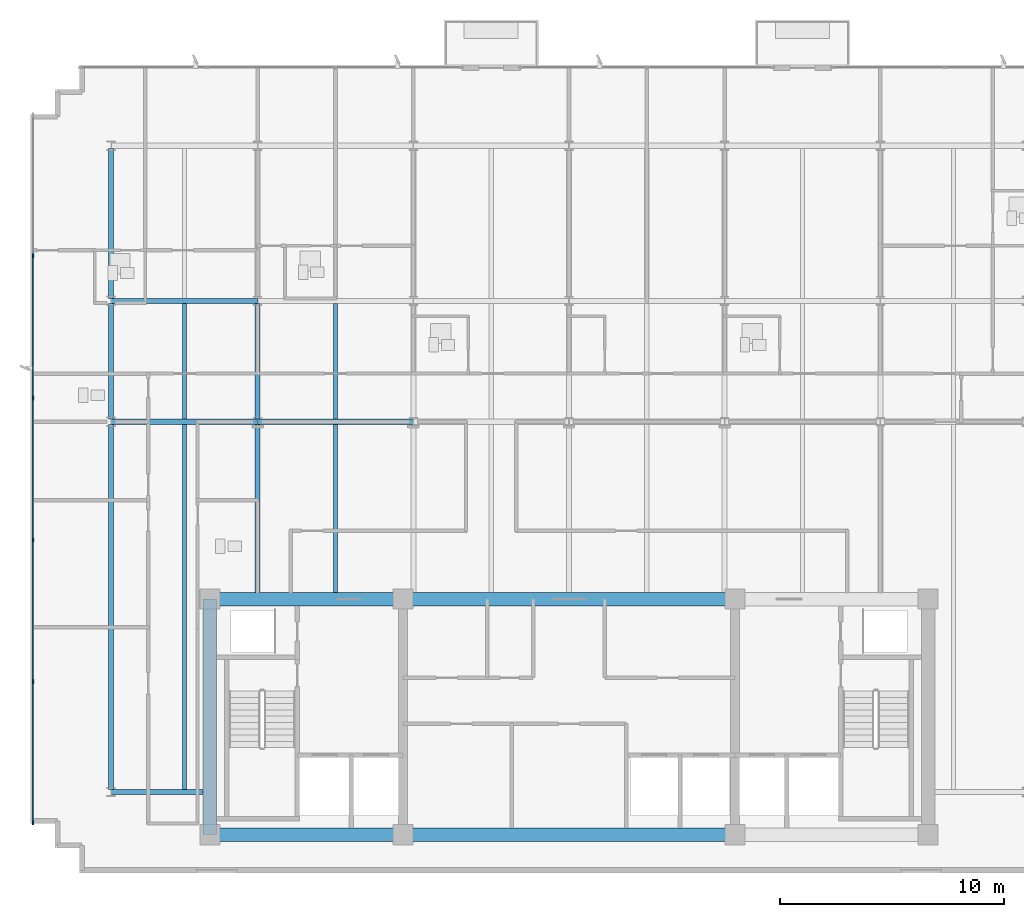
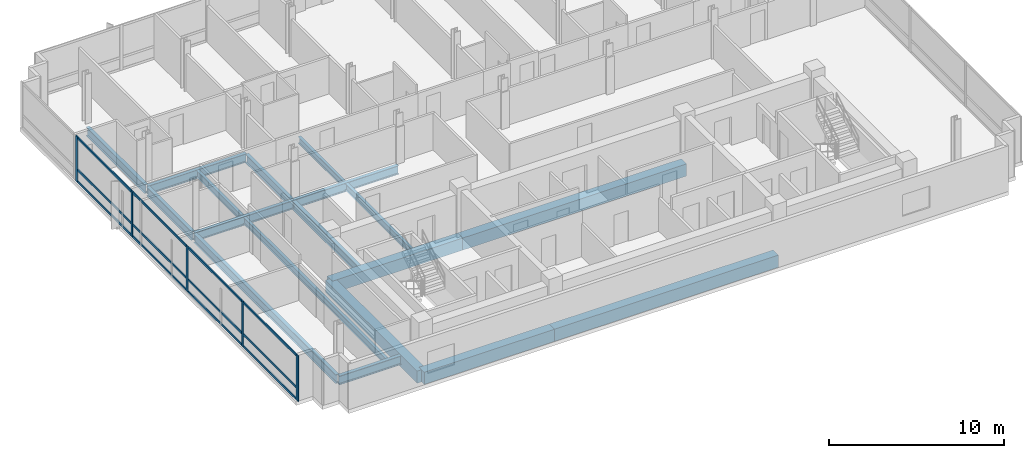
# One storey, part 2 of 14: 18 beams, 17 members, 1 element without a shape of its own.
"""IFC4 building model written with IfcOpenShell, lengths in metres."""

from ifc_helpers import new_model, si_unit, direction, frame, origin, origin_2d, place, context, subcontext, project, spatial, rectangle, i_section, extrude, material, material_profile, profile_set, type_object, element, aggregate, save


model = new_model("IFC4")

# Units and contexts
model_context = context("Model", 3, precision=1e-05, world=origin(), true_north=direction((0.0, 1.0)))
body_context = subcontext(model_context, "Body", "Model", "MODEL_VIEW")
ifc_project = project(units=[si_unit("LENGTHUNIT", "METRE"), si_unit("AREAUNIT", "SQUARE_METRE"), si_unit("VOLUMEUNIT", "CUBIC_METRE"), si_unit("PLANEANGLEUNIT", "RADIAN"), si_unit("MASSUNIT", "GRAM", prefix="KILO")], contexts=[model_context])

# Site, building, storey
site_placement = place(None, origin())
site = spatial("IfcSite", under=ifc_project, at=site_placement, CompositionType="ELEMENT")
building_placement = place(site_placement, origin())
building = spatial("IfcBuilding", under=site, at=building_placement, Name="Solmavex Isthmus Hotel", CompositionType="ELEMENT")
storey_placement = place(building_placement, frame((0.0, 0.0, 252.300048828125)))
storey = spatial("IfcBuildingStorey", under=building, at=storey_placement, Name="L68", CompositionType="ELEMENT", Elevation=252.300048828125)

# Beams
ifc_material_1 = material(Name="Steel ASTM A992 Grade 50", Category="steel")
ifc_material_profile_1 = material_profile(ifc_material_1, i_section(OverallWidth=0.1904296875, OverallDepth=0.456787109375, WebThickness=0.009033203125, FlangeThickness=0.014404296875, FilletRadius=0.0126953125, at=origin_2d()), Name="W18X50")
ifc_profile_set_1 = profile_set([ifc_material_profile_1], Name="Steel ASTM A992 Grade 50")
beam_type_1 = type_object("IfcBeamType", Name="BM-BJ-W18X50", PredefinedType="JOIST", material=ifc_profile_set_1)
beam_1_placement = place(storey_placement, frame((-17.135986328125, -10.98486328125, -0.488525390625), z_axis=(0.0, 1.0, 0.0), x_axis=(-1.0, 0.0, 0.0)))
element("IfcBeam", 1, at=beam_1_placement, inside=storey, type_object=beam_type_1, Name="Secondary Floor Joist L68-J01", PredefinedType="JOIST", context=body_context, shape_type="SweptSolid", body=[
    extrude(i_section(OverallWidth=0.1904296875, OverallDepth=0.456787109375, WebThickness=0.009033203125, FlangeThickness=0.014404296875, FilletRadius=0.0126953125, at=origin_2d()), origin(), (0.0, 0.0, 1.0), 16.27099609375),
])
beam_2_placement = place(storey_placement, frame((-17.135986328125, 5.513916015625, -0.488525390625), z_axis=(0.0, 1.0, 0.0), x_axis=(-1.0, 0.0, 0.0)))
element("IfcBeam", 2, at=beam_2_placement, inside=storey, type_object=beam_type_1, Name="Secondary Floor Joist L68-J02", PredefinedType="JOIST", context=body_context, shape_type="SweptSolid", body=[
    extrude(i_section(OverallWidth=0.1904296875, OverallDepth=0.456787109375, WebThickness=0.009033203125, FlangeThickness=0.014404296875, FilletRadius=0.0126953125, at=origin_2d()), origin(), (0.0, 0.0, 1.0), 5.16015625),
])
beam_3_placement = place(storey_placement, frame((-10.404052734375, -2.199951171875, -0.488525390625), z_axis=(0.0, 1.0, 0.0), x_axis=(-1.0, 0.0, 0.0)))
element("IfcBeam", 3, at=beam_3_placement, inside=storey, type_object=beam_type_1, Name="Secondary Floor Joist L68-J04", PredefinedType="JOIST", context=body_context, shape_type="SweptSolid", body=[
    extrude(i_section(OverallWidth=0.1904296875, OverallDepth=0.456787109375, WebThickness=0.009033203125, FlangeThickness=0.014404296875, FilletRadius=0.0126953125, at=origin_2d()), origin(), (0.0, 0.0, 1.0), 7.486083984375),
])
beam_4_placement = place(storey_placement, frame((-10.404052734375, 5.513916015625, -0.488525390625), z_axis=(0.0, 1.0, 0.0), x_axis=(-1.0, 0.0, 0.0)))
element("IfcBeam", 4, at=beam_4_placement, inside=storey, type_object=beam_type_1, Name="Secondary Floor Joist L68-J05", PredefinedType="JOIST", context=body_context, shape_type="SweptSolid", body=[
    extrude(i_section(OverallWidth=0.1904296875, OverallDepth=0.456787109375, WebThickness=0.009033203125, FlangeThickness=0.014404296875, FilletRadius=0.0126953125, at=origin_2d()), origin(), (0.0, 0.0, 1.0), 5.16015625),
])
ifc_material_profile_2 = material_profile(ifc_material_1, i_section(OverallWidth=0.227783203125, OverallDepth=0.602783203125, WebThickness=0.010498046875, FlangeThickness=0.014892578125, FilletRadius=0.01513671875, at=origin_2d()), Name="W24X68")
ifc_profile_set_2 = profile_set([ifc_material_profile_2], Name="Steel ASTM A992 Grade 50")
beam_type_2 = type_object("IfcBeamType", Name="BM-BM-W24X68", PredefinedType="BEAM", material=ifc_profile_set_2)
beam_5_placement = place(storey_placement, frame((-20.39990234375, 5.39990234375, -0.561279296875), z_axis=(1.0, 0.0, 0.0), x_axis=(0.0, 1.0, 0.0)))
element("IfcBeam", 5, at=beam_5_placement, inside=storey, type_object=beam_type_2, Name="Floor Girder L68-UG03", PredefinedType="BEAM", context=body_context, shape_type="SweptSolid", body=[
    extrude(i_section(OverallWidth=0.227783203125, OverallDepth=0.602783203125, WebThickness=0.010498046875, FlangeThickness=0.014892578125, FilletRadius=0.01513671875, at=origin_2d()), origin(), (0.0, 0.0, 1.0), 6.52783203125),
])
beam_6_placement = place(storey_placement, frame((-13.8720703125, 5.39990234375, -0.561279296875), z_axis=(1.0, 0.0, 0.0), x_axis=(0.0, 1.0, 0.0)))
element("IfcBeam", 6, at=beam_6_placement, inside=storey, type_object=beam_type_2, Name="Floor Girder L68-UG04", PredefinedType="BEAM", context=body_context, shape_type="SweptSolid", body=[
    extrude(i_section(OverallWidth=0.227783203125, OverallDepth=0.602783203125, WebThickness=0.010498046875, FlangeThickness=0.014892578125, FilletRadius=0.01513671875, at=origin_2d()), origin(), (0.0, 0.0, 1.0), 6.93603515625),
])
beam_7_placement = place(storey_placement, frame((-20.39990234375, 10.7880859375, -0.561279296875), z_axis=(1.0, 0.0, 0.0), x_axis=(0.0, 1.0, 0.0)))
element("IfcBeam", 7, at=beam_7_placement, inside=storey, type_object=beam_type_2, Name="Floor Girder L68-UG09", PredefinedType="BEAM", context=body_context, shape_type="SweptSolid", body=[
    extrude(i_section(OverallWidth=0.227783203125, OverallDepth=0.602783203125, WebThickness=0.010498046875, FlangeThickness=0.014892578125, FilletRadius=0.01513671875, at=origin_2d()), origin(), (0.0, 0.0, 1.0), 6.52783203125),
])
beam_8_placement = place(storey_placement, frame((-13.8720703125, -2.199951171875, -0.561279296875), z_axis=(0.0, 1.0, 0.0), x_axis=(-1.0, 0.0, 0.0)))
element("IfcBeam", 8, at=beam_8_placement, inside=storey, type_object=beam_type_2, Name="Floor Beam L68-VG24", PredefinedType="BEAM", context=body_context, shape_type="SweptSolid", body=[
    extrude(i_section(OverallWidth=0.227783203125, OverallDepth=0.602783203125, WebThickness=0.010498046875, FlangeThickness=0.014892578125, FilletRadius=0.01513671875, at=origin_2d()), origin(), (0.0, 0.0, 1.0), 7.486083984375),
])
beam_9_placement = place(storey_placement, frame((-13.8720703125, 5.513916015625, -0.561279296875), z_axis=(0.0, 1.0, 0.0), x_axis=(-1.0, 0.0, 0.0)))
element("IfcBeam", 9, at=beam_9_placement, inside=storey, type_object=beam_type_2, Name="Floor Beam L68-VG25", PredefinedType="BEAM", context=body_context, shape_type="SweptSolid", body=[
    extrude(i_section(OverallWidth=0.227783203125, OverallDepth=0.602783203125, WebThickness=0.010498046875, FlangeThickness=0.014892578125, FilletRadius=0.01513671875, at=origin_2d()), origin(), (0.0, 0.0, 1.0), 5.16015625),
])
ifc_material_2 = material(Name="Concrete C50/60", Category="concrete")
ifc_material_profile_3 = material_profile(ifc_material_2, rectangle(XDim=0.60009765625, YDim=0.85009765625, at=origin_2d()), Name="RC600X850")
ifc_profile_set_3 = profile_set([ifc_material_profile_3], Name="Concrete C50/60")
beam_type_3 = type_object("IfcBeamType", Name="BM-CB-600X850", PredefinedType="BEAM", material=ifc_profile_set_3)
beam_10_placement = place(storey_placement, frame((-16.0, -13.0, -0.68505859375), z_axis=(1.0, 0.0, 0.0), x_axis=(0.0, 1.0, 0.0)))
element("IfcBeam", 10, at=beam_10_placement, inside=storey, type_object=beam_type_3, Name="Core Coupling Beam L68-CB1", PredefinedType="BEAM", context=body_context, shape_type="SweptSolid", body=[
    extrude(rectangle(XDim=0.60009765625, YDim=0.85009765625, at=origin_2d()), origin(), (0.0, 0.0, 1.0), 8.60009765625),
])
beam_11_placement = place(storey_placement, frame((-7.39990234375, -13.0, -0.68505859375), z_axis=(1.0, 0.0, 0.0), x_axis=(0.0, 1.0, 0.0)))
element("IfcBeam", 11, at=beam_11_placement, inside=storey, type_object=beam_type_3, Name="Core Coupling Beam L68-CB2", PredefinedType="BEAM", context=body_context, shape_type="SweptSolid", body=[
    extrude(rectangle(XDim=0.60009765625, YDim=0.85009765625, at=origin_2d()), origin(), (0.0, 0.0, 1.0), 14.7998046875),
])
beam_12_placement = place(storey_placement, frame((-16.0, -2.5, -0.68505859375), z_axis=(1.0, 0.0, 0.0), x_axis=(0.0, 1.0, 0.0)))
element("IfcBeam", 12, at=beam_12_placement, inside=storey, type_object=beam_type_3, Name="Core Coupling Beam L68-CB4", PredefinedType="BEAM", context=body_context, shape_type="SweptSolid", body=[
    extrude(rectangle(XDim=0.60009765625, YDim=0.85009765625, at=origin_2d()), origin(), (0.0, 0.0, 1.0), 8.60009765625),
])
beam_13_placement = place(storey_placement, frame((-7.39990234375, -2.5, -0.68505859375), z_axis=(1.0, 0.0, 0.0), x_axis=(0.0, 1.0, 0.0)))
element("IfcBeam", 13, at=beam_13_placement, inside=storey, type_object=beam_type_3, Name="Core Coupling Beam L68-CB5", PredefinedType="BEAM", context=body_context, shape_type="SweptSolid", body=[
    extrude(rectangle(XDim=0.60009765625, YDim=0.85009765625, at=origin_2d()), origin(), (0.0, 0.0, 1.0), 14.7998046875),
])
beam_14_placement = place(storey_placement, frame((-16.0, -13.0, -0.68505859375), z_axis=(0.0, 1.0, 0.0), x_axis=(-1.0, 0.0, 0.0)))
element("IfcBeam", 14, at=beam_14_placement, inside=storey, type_object=beam_type_3, Name="Core Coupling Beam L68-CB7", PredefinedType="BEAM", context=body_context, shape_type="SweptSolid", body=[
    extrude(rectangle(XDim=0.60009765625, YDim=0.85009765625, at=origin_2d()), origin(), (0.0, 0.0, 1.0), 10.5),
])
ifc_material_profile_4 = material_profile(ifc_material_1, i_section(OverallWidth=0.230224609375, OverallDepth=0.617431640625, WebThickness=0.01318359375, FlangeThickness=0.022216796875, FilletRadius=0.01513671875, at=origin_2d()), Name="W24X94")
ifc_profile_set_4 = profile_set([ifc_material_profile_4], Name="Steel ASTM A992 Grade 50")
beam_type_4 = type_object("IfcBeamType", Name="BM-SP-W24X94", PredefinedType="SPANDREL", material=ifc_profile_set_4)
beam_15_placement = place(storey_placement, frame((-20.39990234375, -11.10009765625, -0.56884765625), z_axis=(1.0, 0.0, 0.0), x_axis=(0.0, 1.0, 0.0)))
element("IfcBeam", 15, at=beam_15_placement, inside=storey, type_object=beam_type_4, Name="Floor Girder L68-UG01", PredefinedType="SPANDREL", context=body_context, shape_type="SweptSolid", body=[
    extrude(i_section(OverallWidth=0.230224609375, OverallDepth=0.617431640625, WebThickness=0.01318359375, FlangeThickness=0.022216796875, FilletRadius=0.01513671875, at=origin_2d()), origin(), (0.0, 0.0, 1.0), 4.099853515625),
])
beam_16_placement = place(storey_placement, frame((-20.39990234375, -10.98486328125, -0.56884765625), z_axis=(0.0, 1.0, 0.0), x_axis=(-1.0, 0.0, 0.0)))
element("IfcBeam", 16, at=beam_16_placement, inside=storey, type_object=beam_type_4, Name="Floor Beam L68-VG21", PredefinedType="SPANDREL", context=body_context, shape_type="SweptSolid", body=[
    extrude(i_section(OverallWidth=0.230224609375, OverallDepth=0.617431640625, WebThickness=0.01318359375, FlangeThickness=0.022216796875, FilletRadius=0.01513671875, at=origin_2d()), origin(), (0.0, 0.0, 1.0), 16.27099609375),
])
beam_17_placement = place(storey_placement, frame((-20.39990234375, 5.513916015625, -0.56884765625), z_axis=(0.0, 1.0, 0.0), x_axis=(-1.0, 0.0, 0.0)))
element("IfcBeam", 17, at=beam_17_placement, inside=storey, type_object=beam_type_4, Name="Floor Beam L68-VG22", PredefinedType="SPANDREL", context=body_context, shape_type="SweptSolid", body=[
    extrude(i_section(OverallWidth=0.230224609375, OverallDepth=0.617431640625, WebThickness=0.01318359375, FlangeThickness=0.022216796875, FilletRadius=0.01513671875, at=origin_2d()), origin(), (0.0, 0.0, 1.0), 5.16015625),
])
beam_18_placement = place(storey_placement, frame((-20.39990234375, 10.90185546875, -0.56884765625), z_axis=(0.0, 1.0, 0.0), x_axis=(-1.0, 0.0, 0.0)))
element("IfcBeam", 18, at=beam_18_placement, inside=storey, type_object=beam_type_4, Name="Floor Beam L68-VG23", PredefinedType="SPANDREL", context=body_context, shape_type="SweptSolid", body=[
    extrude(i_section(OverallWidth=0.230224609375, OverallDepth=0.617431640625, WebThickness=0.01318359375, FlangeThickness=0.022216796875, FilletRadius=0.01513671875, at=origin_2d()), origin(), (0.0, 0.0, 1.0), 6.682861328125),
])

# Curtain wall, members
ifc_material_3 = material(Name="Aluminium alloy 6063-T6", Category="aluminium")
curtain_wall_type = type_object("IfcCurtainWallType", Name="CW-SYS-04", PredefinedType="NOTDEFINED", material=ifc_material_3)
curtain_wall_placement = place(storey_placement, origin())
curtain_wall = element("IfcCurtainWall", 19, at=curtain_wall_placement, inside=storey, type_object=curtain_wall_type, Name="Stick Curtain Wall CWL-L68-W1", PredefinedType="NOTDEFINED")
ifc_material_profile_5 = material_profile(ifc_material_3, rectangle(XDim=0.074951171875, YDim=0.199951171875, at=origin_2d()), Name="CWM-75X200")
ifc_profile_set_5 = profile_set([ifc_material_profile_5], Name="Aluminium alloy 6063-T6")
member_type_1 = type_object("IfcMemberType", Name="CW-SYS-04-MUL", PredefinedType="MULLION", material=ifc_profile_set_5)
member_1_placement = place(storey_placement, frame((-23.8798828125, -12.46240234375, 0.0), z_axis=(0.0, 0.0, 1.0), x_axis=(-1.0, 0.0, 0.0)))
member_1 = element("IfcMember", 20, at=member_1_placement, type_object=member_type_1, Name="CW-04 mullion 1", PredefinedType="MULLION", context=body_context, shape_type="SweptSolid", body=[
    extrude(rectangle(XDim=0.074951171875, YDim=0.199951171875, at=origin_2d()), origin(), (0.0, 0.0, 1.0), 3.18994140625),
])
member_2_placement = place(storey_placement, frame((-23.8798828125, -6.179931640625, 0.0), z_axis=(0.0, 0.0, 1.0), x_axis=(-1.0, 0.0, 0.0)))
member_2 = element("IfcMember", 21, at=member_2_placement, type_object=member_type_1, Name="CW-04 mullion 2", PredefinedType="MULLION", context=body_context, shape_type="SweptSolid", body=[
    extrude(rectangle(XDim=0.074951171875, YDim=0.199951171875, at=origin_2d()), origin(), (0.0, 0.0, 1.0), 3.18994140625),
])
member_3_placement = place(storey_placement, frame((-23.8798828125, 0.139892578125, 0.0), z_axis=(0.0, 0.0, 1.0), x_axis=(-1.0, 0.0, 0.0)))
member_3 = element("IfcMember", 22, at=member_3_placement, type_object=member_type_1, Name="CW-04 mullion 3", PredefinedType="MULLION", context=body_context, shape_type="SweptSolid", body=[
    extrude(rectangle(XDim=0.074951171875, YDim=0.199951171875, at=origin_2d()), origin(), (0.0, 0.0, 1.0), 3.18994140625),
])
member_4_placement = place(storey_placement, frame((-23.8798828125, 6.4599609375, 0.0), z_axis=(0.0, 0.0, 1.0), x_axis=(-1.0, 0.0, 0.0)))
member_4 = element("IfcMember", 23, at=member_4_placement, type_object=member_type_1, Name="CW-04 mullion 4", PredefinedType="MULLION", context=body_context, shape_type="SweptSolid", body=[
    extrude(rectangle(XDim=0.074951171875, YDim=0.199951171875, at=origin_2d()), origin(), (0.0, 0.0, 1.0), 3.18994140625),
])
member_5_placement = place(storey_placement, frame((-23.8798828125, 12.780029296875, 0.0), z_axis=(0.0, 0.0, 1.0), x_axis=(-1.0, 0.0, 0.0)))
member_5 = element("IfcMember", 24, at=member_5_placement, type_object=member_type_1, Name="CW-04 mullion 5", PredefinedType="MULLION", context=body_context, shape_type="SweptSolid", body=[
    extrude(rectangle(XDim=0.074951171875, YDim=0.199951171875, at=origin_2d()), origin(), (0.0, 0.0, 1.0), 3.18994140625),
])
ifc_material_profile_6 = material_profile(ifc_material_3, rectangle(XDim=0.074951171875, YDim=0.14990234375, at=origin_2d()), Name="CWT-75X150")
ifc_profile_set_6 = profile_set([ifc_material_profile_6], Name="Aluminium alloy 6063-T6")
member_type_2 = type_object("IfcMemberType", Name="CW-SYS-04-TRN", PredefinedType="USERDEFINED", material=ifc_profile_set_6)
member_6_placement = place(storey_placement, frame((-23.8798828125, -12.425048828125, 0.074951171875), z_axis=(0.0, 1.0, 0.0), x_axis=(-1.0, 0.0, 0.0)))
member_6 = element("IfcMember", 25, at=member_6_placement, type_object=member_type_2, Name="CW-04 transom 1.1", ObjectType="TRANSOM", PredefinedType="USERDEFINED", context=body_context, shape_type="SweptSolid", body=[
    extrude(rectangle(XDim=0.074951171875, YDim=0.14990234375, at=origin_2d()), origin(), (0.0, 0.0, 1.0), 6.20751953125),
])
member_7_placement = place(storey_placement, frame((-23.8798828125, -12.425048828125, 0.89990234375), z_axis=(0.0, 1.0, 0.0), x_axis=(-1.0, 0.0, 0.0)))
member_7 = element("IfcMember", 26, at=member_7_placement, type_object=member_type_2, Name="CW-04 transom 1.2", ObjectType="TRANSOM", PredefinedType="USERDEFINED", context=body_context, shape_type="SweptSolid", body=[
    extrude(rectangle(XDim=0.074951171875, YDim=0.14990234375, at=origin_2d()), origin(), (0.0, 0.0, 1.0), 6.20751953125),
])
member_8_placement = place(storey_placement, frame((-23.8798828125, -12.425048828125, 3.114990234375), z_axis=(0.0, 1.0, 0.0), x_axis=(-1.0, 0.0, 0.0)))
member_8 = element("IfcMember", 27, at=member_8_placement, type_object=member_type_2, Name="CW-04 transom 1.3", ObjectType="TRANSOM", PredefinedType="USERDEFINED", context=body_context, shape_type="SweptSolid", body=[
    extrude(rectangle(XDim=0.074951171875, YDim=0.14990234375, at=origin_2d()), origin(), (0.0, 0.0, 1.0), 6.20751953125),
])
member_9_placement = place(storey_placement, frame((-23.8798828125, -6.142578125, 0.074951171875), z_axis=(0.0, 1.0, 0.0), x_axis=(-1.0, 0.0, 0.0)))
member_9 = element("IfcMember", 28, at=member_9_placement, type_object=member_type_2, Name="CW-04 transom 2.1", ObjectType="TRANSOM", PredefinedType="USERDEFINED", context=body_context, shape_type="SweptSolid", body=[
    extrude(rectangle(XDim=0.074951171875, YDim=0.14990234375, at=origin_2d()), origin(), (0.0, 0.0, 1.0), 6.2451171875),
])
member_10_placement = place(storey_placement, frame((-23.8798828125, -6.142578125, 0.89990234375), z_axis=(0.0, 1.0, 0.0), x_axis=(-1.0, 0.0, 0.0)))
member_10 = element("IfcMember", 29, at=member_10_placement, type_object=member_type_2, Name="CW-04 transom 2.2", ObjectType="TRANSOM", PredefinedType="USERDEFINED", context=body_context, shape_type="SweptSolid", body=[
    extrude(rectangle(XDim=0.074951171875, YDim=0.14990234375, at=origin_2d()), origin(), (0.0, 0.0, 1.0), 6.2451171875),
])
member_11_placement = place(storey_placement, frame((-23.8798828125, -6.142578125, 3.114990234375), z_axis=(0.0, 1.0, 0.0), x_axis=(-1.0, 0.0, 0.0)))
member_11 = element("IfcMember", 30, at=member_11_placement, type_object=member_type_2, Name="CW-04 transom 2.3", ObjectType="TRANSOM", PredefinedType="USERDEFINED", context=body_context, shape_type="SweptSolid", body=[
    extrude(rectangle(XDim=0.074951171875, YDim=0.14990234375, at=origin_2d()), origin(), (0.0, 0.0, 1.0), 6.2451171875),
])
member_12_placement = place(storey_placement, frame((-23.8798828125, 0.177490234375, 0.074951171875), z_axis=(0.0, 1.0, 0.0), x_axis=(-1.0, 0.0, 0.0)))
member_12 = element("IfcMember", 31, at=member_12_placement, type_object=member_type_2, Name="CW-04 transom 3.1", ObjectType="TRANSOM", PredefinedType="USERDEFINED", context=body_context, shape_type="SweptSolid", body=[
    extrude(rectangle(XDim=0.074951171875, YDim=0.14990234375, at=origin_2d()), origin(), (0.0, 0.0, 1.0), 6.2451171875),
])
member_13_placement = place(storey_placement, frame((-23.8798828125, 0.177490234375, 0.89990234375), z_axis=(0.0, 1.0, 0.0), x_axis=(-1.0, 0.0, 0.0)))
member_13 = element("IfcMember", 32, at=member_13_placement, type_object=member_type_2, Name="CW-04 transom 3.2", ObjectType="TRANSOM", PredefinedType="USERDEFINED", context=body_context, shape_type="SweptSolid", body=[
    extrude(rectangle(XDim=0.074951171875, YDim=0.14990234375, at=origin_2d()), origin(), (0.0, 0.0, 1.0), 6.2451171875),
])
member_14_placement = place(storey_placement, frame((-23.8798828125, 0.177490234375, 3.114990234375), z_axis=(0.0, 1.0, 0.0), x_axis=(-1.0, 0.0, 0.0)))
member_14 = element("IfcMember", 33, at=member_14_placement, type_object=member_type_2, Name="CW-04 transom 3.3", ObjectType="TRANSOM", PredefinedType="USERDEFINED", context=body_context, shape_type="SweptSolid", body=[
    extrude(rectangle(XDim=0.074951171875, YDim=0.14990234375, at=origin_2d()), origin(), (0.0, 0.0, 1.0), 6.2451171875),
])
member_15_placement = place(storey_placement, frame((-23.8798828125, 6.49755859375, 0.074951171875), z_axis=(0.0, 1.0, 0.0), x_axis=(-1.0, 0.0, 0.0)))
member_15 = element("IfcMember", 34, at=member_15_placement, type_object=member_type_2, Name="CW-04 transom 4.1", ObjectType="TRANSOM", PredefinedType="USERDEFINED", context=body_context, shape_type="SweptSolid", body=[
    extrude(rectangle(XDim=0.074951171875, YDim=0.14990234375, at=origin_2d()), origin(), (0.0, 0.0, 1.0), 6.244873046875),
])
member_16_placement = place(storey_placement, frame((-23.8798828125, 6.49755859375, 0.89990234375), z_axis=(0.0, 1.0, 0.0), x_axis=(-1.0, 0.0, 0.0)))
member_16 = element("IfcMember", 35, at=member_16_placement, type_object=member_type_2, Name="CW-04 transom 4.2", ObjectType="TRANSOM", PredefinedType="USERDEFINED", context=body_context, shape_type="SweptSolid", body=[
    extrude(rectangle(XDim=0.074951171875, YDim=0.14990234375, at=origin_2d()), origin(), (0.0, 0.0, 1.0), 6.244873046875),
])
member_17_placement = place(storey_placement, frame((-23.8798828125, 6.49755859375, 3.114990234375), z_axis=(0.0, 1.0, 0.0), x_axis=(-1.0, 0.0, 0.0)))
member_17 = element("IfcMember", 36, at=member_17_placement, type_object=member_type_2, Name="CW-04 transom 4.3", ObjectType="TRANSOM", PredefinedType="USERDEFINED", context=body_context, shape_type="SweptSolid", body=[
    extrude(rectangle(XDim=0.074951171875, YDim=0.14990234375, at=origin_2d()), origin(), (0.0, 0.0, 1.0), 6.244873046875),
])
aggregate(curtain_wall, [member_1, member_2, member_3, member_4, member_5, member_6, member_7, member_8, member_9, member_10, member_11, member_12, member_13, member_14, member_15, member_16, member_17])

save(model, "model.ifc")
